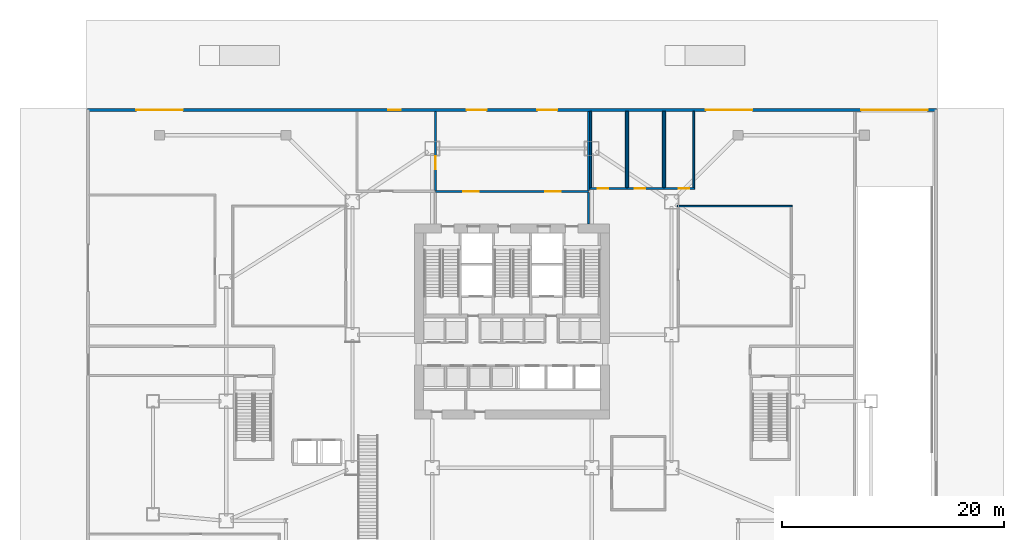
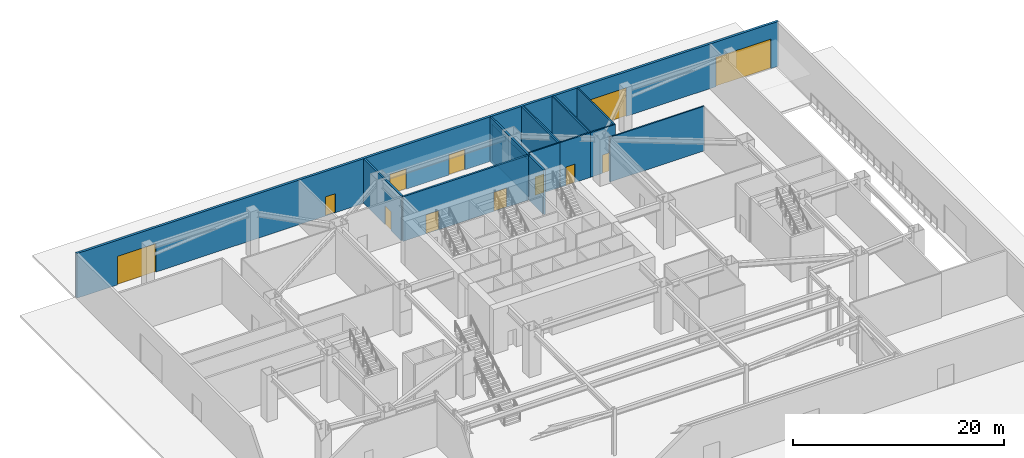
# One storey, part 12 of 20: 15 walls, 12 doors, 12 openings.
"""IFC4 building model written with IfcOpenShell, lengths in metres."""

from ifc_helpers import new_model, si_unit, direction, frame, frame_2d, origin, place, context, subcontext, project, spatial, rectangle, extrude, material, layer, layer_set, type_object, element, fill, save


model = new_model("IFC4")

# Units and contexts
model_context = context("Model", 3, precision=1e-05, world=origin(), true_north=direction((0.0, 1.0)))
body_context = subcontext(model_context, "Body", "Model", "MODEL_VIEW")
ifc_project = project(units=[si_unit("LENGTHUNIT", "METRE"), si_unit("AREAUNIT", "SQUARE_METRE"), si_unit("VOLUMEUNIT", "CUBIC_METRE"), si_unit("PLANEANGLEUNIT", "RADIAN"), si_unit("MASSUNIT", "GRAM", prefix="KILO")], contexts=[model_context])

# Site, building, storey
site_placement = place(None, origin())
site = spatial("IfcSite", under=ifc_project, at=site_placement, CompositionType="ELEMENT")
building_placement = place(site_placement, origin())
building = spatial("IfcBuilding", under=site, at=building_placement, Name="Haolan Belvedere Tower", CompositionType="ELEMENT")
storey_placement = place(building_placement, origin())
storey = spatial("IfcBuildingStorey", under=building, at=storey_placement, Name="L00", CompositionType="ELEMENT", Elevation=0.0)

# Wall, openings, doors
ifc_material_1 = material(Name="Precast concrete C40/50", Category="concrete")
ifc_layer_1 = layer(ifc_material_1, 0.260009765625, Name="Precast concrete C40/50")
ifc_layer_set_1 = layer_set([ifc_layer_1], Name="Precast concrete C40/50")
wall_type_1 = type_object("IfcWallType", Name="WL-EXT-260", PredefinedType="SOLIDWALL", material=ifc_layer_set_1)
wall_1_placement = place(storey_placement, frame((76.72509765625, 53.8701171875, 0.0), z_axis=(0.0, 0.0, 1.0), x_axis=(-1.0, 0.0, 0.0)))
wall_1 = element("IfcWall", 1, at=wall_1_placement, inside=storey, type_object=wall_type_1, Name="L00 pale-metal exterior spandrel wall 3.1", PredefinedType="SOLIDWALL", context=body_context, shape_type="SweptSolid", body=[
    extrude(rectangle(XDim=76.650146484375, YDim=0.260009765625, at=frame_2d((38.3251953125, 0.0))), origin(), (0.0, 0.0, 1.0), 5.159912109375),
])
opening_1_placement = place(wall_1_placement, frame((42.425048828125, 0.0, 0.0), z_axis=(0.0, 0.0, 1.0), x_axis=(-1.0, 0.0, 0.0)))
opening_1 = element("IfcOpeningElement", 2, at=opening_1_placement, cuts=wall_1, Name="Opening ED-01", PredefinedType="OPENING", context=body_context, shape_type="SweptSolid", body=[
    extrude(rectangle(XDim=1.800048828125, YDim=2.35009765625, at=frame_2d((0.89990234375, 1.175048828125))), frame((0.0, 0.139892578125, 0.0), z_axis=(0.0, -1.0, 0.0), x_axis=(1.0, 0.0, 0.0)), (0.0, 0.0, 1.0), 0.280029296875),
])
opening_2_placement = place(wall_1_placement, frame((36.025146484375, 0.0, 0.0), z_axis=(0.0, 0.0, 1.0), x_axis=(-1.0, 0.0, 0.0)))
opening_2 = element("IfcOpeningElement", 3, at=opening_2_placement, cuts=wall_1, Name="Opening ED-01", PredefinedType="OPENING", context=body_context, shape_type="SweptSolid", body=[
    extrude(rectangle(XDim=1.800048828125, YDim=2.35009765625, at=frame_2d((0.89990234375, 1.175048828125))), frame((0.0, 0.139892578125, 0.0), z_axis=(0.0, -1.0, 0.0), x_axis=(1.0, 0.0, 0.0)), (0.0, 0.0, 1.0), 0.280029296875),
])
opening_3_placement = place(wall_1_placement, frame((49.47509765625, 0.0, 0.0), z_axis=(0.0, 0.0, 1.0), x_axis=(-1.0, 0.0, 0.0)))
opening_3 = element("IfcOpeningElement", 4, at=opening_3_placement, cuts=wall_1, Name="Opening ED-02", PredefinedType="OPENING", context=body_context, shape_type="SweptSolid", body=[
    extrude(rectangle(XDim=1.10009765625, YDim=2.199951171875, at=frame_2d((0.550048828125, 1.10009765625))), frame((0.0, 0.139892578125, 0.0), z_axis=(0.0, -1.0, 0.0), x_axis=(1.0, 0.0, 0.0)), (0.0, 0.0, 1.0), 0.280029296875),
])
opening_4_placement = place(wall_1_placement, frame((6.824951171875, 0.0, 0.0), z_axis=(0.0, 0.0, 1.0), x_axis=(-1.0, 0.0, 0.0)))
opening_4 = element("IfcOpeningElement", 5, at=opening_4_placement, cuts=wall_1, Name="Opening VG-01", PredefinedType="OPENING", context=body_context, shape_type="SweptSolid", body=[
    extrude(rectangle(XDim=6.0, YDim=3.39990234375, at=frame_2d((3.0, 1.699951171875))), frame((0.0, 0.139892578125, 0.0), z_axis=(0.0, -1.0, 0.0), x_axis=(1.0, 0.0, 0.0)), (0.0, 0.0, 1.0), 0.280029296875),
])
opening_5_placement = place(wall_1_placement, frame((72.224853515625, 0.0, 0.0), z_axis=(0.0, 0.0, 1.0), x_axis=(-1.0, 0.0, 0.0)))
opening_5 = element("IfcOpeningElement", 6, at=opening_5_placement, cuts=wall_1, Name="Opening VG-02", PredefinedType="OPENING", context=body_context, shape_type="SweptSolid", body=[
    extrude(rectangle(XDim=4.199951171875, YDim=3.300048828125, at=frame_2d((2.10009765625, 1.64990234375))), frame((0.0, 0.139892578125, 0.0), z_axis=(0.0, -1.0, 0.0), x_axis=(1.0, 0.0, 0.0)), (0.0, 0.0, 1.0), 0.280029296875),
])
opening_6_placement = place(wall_1_placement, frame((20.824951171875, 0.0, 0.0), z_axis=(0.0, 0.0, 1.0), x_axis=(-1.0, 0.0, 0.0)))
opening_6 = element("IfcOpeningElement", 7, at=opening_6_placement, cuts=wall_1, Name="Opening VG-02", PredefinedType="OPENING", context=body_context, shape_type="SweptSolid", body=[
    extrude(rectangle(XDim=4.199951171875, YDim=3.300048828125, at=frame_2d((2.10009765625, 1.64990234375))), frame((0.0, 0.139892578125, 0.0), z_axis=(0.0, -1.0, 0.0), x_axis=(1.0, 0.0, 0.0)), (0.0, 0.0, 1.0), 0.280029296875),
])
ifc_material_2 = material(Name="Anodised aluminium and tempered glass", Category="aluminium")
door_type_1 = type_object("IfcDoorType", Name="DR-EXT-EXIT-1800", OperationType="DOUBLE_DOOR_SINGLE_SWING", PredefinedType="DOOR", material=ifc_material_2)
door_1_placement = place(opening_1_placement, origin())
door_1 = element("IfcDoor", 8, at=door_1_placement, inside=storey, type_object=door_type_1, Name="L00 north core exit discharge door 1", OperationType="DOUBLE_DOOR_SINGLE_SWING", OverallHeight=2.35009765625, OverallWidth=1.800048828125, PredefinedType="DOOR", context=body_context, shape_type="SweptSolid", body=[
    extrude(rectangle(XDim=1.800048828125, YDim=2.35009765625, at=frame_2d((0.89990234375, 1.175048828125))), frame((0.0, 0.02490234375, 0.0), z_axis=(0.0, -1.0, 0.0), x_axis=(1.0, 0.0, 0.0)), (0.0, 0.0, 1.0), 0.050048828125),
])
fill(opening_1, door_1)
door_2_placement = place(opening_2_placement, origin())
door_2 = element("IfcDoor", 9, at=door_2_placement, inside=storey, type_object=door_type_1, Name="L00 north core exit discharge door 2", OperationType="DOUBLE_DOOR_SINGLE_SWING", OverallHeight=2.35009765625, OverallWidth=1.800048828125, PredefinedType="DOOR", context=body_context, shape_type="SweptSolid", body=[
    extrude(rectangle(XDim=1.800048828125, YDim=2.35009765625, at=frame_2d((0.89990234375, 1.175048828125))), frame((0.0, 0.02490234375, 0.0), z_axis=(0.0, -1.0, 0.0), x_axis=(1.0, 0.0, 0.0)), (0.0, 0.0, 1.0), 0.050048828125),
])
fill(opening_2, door_2)
ifc_material_3 = material(Name="Galvanised painted fire steel", Category="steel")
door_type_2 = type_object("IfcDoorType", Name="DR-EXT-FCR-1100", OperationType="SINGLE_SWING_LEFT", PredefinedType="DOOR", material=ifc_material_3)
door_3_placement = place(opening_3_placement, origin())
door_3 = element("IfcDoor", 10, at=door_3_placement, inside=storey, type_object=door_type_2, Name="L00 fire command room direct exterior exit door", OperationType="SINGLE_SWING_LEFT", OverallHeight=2.199951171875, OverallWidth=1.10009765625, PredefinedType="DOOR", context=body_context, shape_type="SweptSolid", body=[
    extrude(rectangle(XDim=1.10009765625, YDim=2.199951171875, at=frame_2d((0.550048828125, 1.10009765625))), frame((0.0, 0.02490234375, 0.0), z_axis=(0.0, -1.0, 0.0), x_axis=(1.0, 0.0, 0.0)), (0.0, 0.0, 1.0), 0.050048828125),
])
fill(opening_3, door_3)
ifc_material_4 = material(Name="Insulated aluminium service bay shutter gate", Category="aluminium")
door_type_3 = type_object("IfcDoorType", Name="DR-GATE-4200", OperationType="SLIDING_TO_RIGHT", PredefinedType="GATE", material=ifc_material_4)
door_4_placement = place(opening_5_placement, origin())
door_4 = element("IfcDoor", 11, at=door_4_placement, inside=storey, type_object=door_type_3, Name="L00 north service yard vehicle gate VG-03", OperationType="SLIDING_TO_LEFT", OverallHeight=3.300048828125, OverallWidth=4.199951171875, PredefinedType="GATE", context=body_context, shape_type="SweptSolid", body=[
    extrude(rectangle(XDim=4.199951171875, YDim=3.300048828125, at=frame_2d((2.10009765625, 1.64990234375))), frame((0.0, 0.02490234375, 0.0), z_axis=(0.0, -1.0, 0.0), x_axis=(1.0, 0.0, 0.0)), (0.0, 0.0, 1.0), 0.050048828125),
])
fill(opening_5, door_4)
door_5_placement = place(opening_6_placement, origin())
door_5 = element("IfcDoor", 12, at=door_5_placement, inside=storey, type_object=door_type_3, Name="L00 north refuse bay shutter gate VG-05", OperationType="SLIDING_TO_RIGHT", OverallHeight=3.300048828125, OverallWidth=4.199951171875, PredefinedType="GATE", context=body_context, shape_type="SweptSolid", body=[
    extrude(rectangle(XDim=4.199951171875, YDim=3.300048828125, at=frame_2d((2.10009765625, 1.64990234375))), frame((0.0, 0.02490234375, 0.0), z_axis=(0.0, -1.0, 0.0), x_axis=(1.0, 0.0, 0.0)), (0.0, 0.0, 1.0), 0.050048828125),
])
fill(opening_6, door_5)
ifc_material_5 = material(Name="Anodised aluminium security vehicle gate", Category="aluminium")
door_type_4 = type_object("IfcDoorType", Name="DR-GATE-6000", OperationType="SLIDING_TO_LEFT", PredefinedType="GATE", material=ifc_material_5)
door_6_placement = place(opening_4_placement, origin())
door_6 = element("IfcDoor", 13, at=door_6_placement, inside=storey, type_object=door_type_4, Name="L00 car park ramp exit vehicle gate VG-01", OperationType="SLIDING_TO_LEFT", OverallHeight=3.39990234375, OverallWidth=6.0, PredefinedType="GATE", context=body_context, shape_type="SweptSolid", body=[
    extrude(rectangle(XDim=6.0, YDim=3.39990234375, at=frame_2d((3.0, 1.699951171875))), frame((0.0, 0.02490234375, 0.0), z_axis=(0.0, -1.0, 0.0), x_axis=(1.0, 0.0, 0.0)), (0.0, 0.0, 1.0), 0.050048828125),
])
fill(opening_4, door_6)

ifc_material_6 = material(Name="Concrete C40/50", Category="concrete")
ifc_layer_2 = layer(ifc_material_6, 0.199951171875, Name="Concrete C40/50")
ifc_layer_set_2 = layer_set([ifc_layer_2], Name="Concrete C40/50")
wall_type_2 = type_object("IfcWallType", Name="WL-FIRE-200", PredefinedType="SOLIDWALL", material=ifc_layer_set_2)
wall_2_placement = place(storey_placement, frame((31.5, 46.52001953125, 0.0), z_axis=(0.0, 0.0, 1.0), x_axis=(1.0, 0.0, 0.0)))
wall_2 = element("IfcWall", 14, at=wall_2_placement, inside=storey, type_object=wall_type_2, Name="L00 interior partition IW-L00-FFL-N", PredefinedType="SOLIDWALL", context=body_context, shape_type="SweptSolid", body=[
    extrude(rectangle(XDim=13.800048828125, YDim=0.199951171875, at=frame_2d((6.89990234375, 0.0))), origin(), (0.0, 0.0, 1.0), 5.159912109375),
])
opening_7_placement = place(wall_2_placement, frame((2.5, 0.0, 0.0)))
opening_7 = element("IfcOpeningElement", 15, at=opening_7_placement, cuts=wall_2, Name="Opening FD-01", PredefinedType="OPENING", context=body_context, shape_type="SweptSolid", body=[
    extrude(rectangle(XDim=1.39990234375, YDim=2.199951171875, at=frame_2d((0.699951171875, 1.10009765625))), frame((0.0, 0.10986328125, 0.0), z_axis=(0.0, -1.0, 0.0), x_axis=(1.0, 0.0, 0.0)), (0.0, 0.0, 1.0), 0.219970703125),
])
opening_8_placement = place(wall_2_placement, frame((9.89990234375, 0.0, 0.0)))
opening_8 = element("IfcOpeningElement", 16, at=opening_8_placement, cuts=wall_2, Name="Opening FD-01", PredefinedType="OPENING", context=body_context, shape_type="SweptSolid", body=[
    extrude(rectangle(XDim=1.39990234375, YDim=2.199951171875, at=frame_2d((0.699951171875, 1.10009765625))), frame((0.0, 0.10986328125, 0.0), z_axis=(0.0, -1.0, 0.0), x_axis=(1.0, 0.0, 0.0)), (0.0, 0.0, 1.0), 0.219970703125),
])
ifc_material_7 = material(Name="Galvanised fire-rated steel", Category="steel")
door_type_5 = type_object("IfcDoorType", Name="DR-FD90-1400", OperationType="DOUBLE_DOOR_SINGLE_SWING", PredefinedType="DOOR", material=ifc_material_7)
door_7_placement = place(opening_7_placement, origin())
door_7 = element("IfcDoor", 17, at=door_7_placement, inside=storey, type_object=door_type_5, Name="L00 door ID-L00-FFL-DN1", OperationType="DOUBLE_DOOR_SINGLE_SWING", OverallHeight=2.199951171875, OverallWidth=1.39990234375, PredefinedType="DOOR", context=body_context, shape_type="SweptSolid", body=[
    extrude(rectangle(XDim=1.39990234375, YDim=2.199951171875, at=frame_2d((0.699951171875, 1.10009765625))), frame((0.0, 0.02490234375, 0.0), z_axis=(0.0, -1.0, 0.0), x_axis=(1.0, 0.0, 0.0)), (0.0, 0.0, 1.0), 0.050048828125),
])
fill(opening_7, door_7)
door_8_placement = place(opening_8_placement, origin())
door_8 = element("IfcDoor", 18, at=door_8_placement, inside=storey, type_object=door_type_5, Name="L00 door ID-L00-FFL-DN2", OperationType="DOUBLE_DOOR_SINGLE_SWING", OverallHeight=2.199951171875, OverallWidth=1.39990234375, PredefinedType="DOOR", context=body_context, shape_type="SweptSolid", body=[
    extrude(rectangle(XDim=1.39990234375, YDim=2.199951171875, at=frame_2d((0.699951171875, 1.10009765625))), frame((0.0, 0.02490234375, 0.0), z_axis=(0.0, -1.0, 0.0), x_axis=(1.0, 0.0, 0.0)), (0.0, 0.0, 1.0), 0.050048828125),
])
fill(opening_8, door_8)

# Wall
wall_3_placement = place(storey_placement, frame((45.300048828125, 43.60009765625, 0.0), z_axis=(0.0, 0.0, 1.0), x_axis=(0.0, 1.0, 0.0)))
element("IfcWall", 19, at=wall_3_placement, inside=storey, type_object=wall_type_2, Name="L00 interior partition IW-L00-FFL-E", PredefinedType="SOLIDWALL", context=body_context, shape_type="SweptSolid", body=[
    extrude(rectangle(XDim=2.8349609375, YDim=0.199951171875, at=frame_2d((1.41748046875, 0.0))), origin(), (0.0, 0.0, 1.0), 5.159912109375),
])

# Wall, opening, door
wall_4_placement = place(storey_placement, frame((31.5, 46.60498046875, 0.0), z_axis=(0.0, 0.0, 1.0), x_axis=(0.0, 1.0, 0.0)))
wall_4 = element("IfcWall", 20, at=wall_4_placement, inside=storey, type_object=wall_type_2, Name="L00 interior partition IW-L00-EXP-N-W", PredefinedType="SOLIDWALL", context=body_context, shape_type="SweptSolid", body=[
    extrude(rectangle(XDim=7.14990234375, YDim=0.199951171875, at=frame_2d((3.574951171875, 0.0))), origin(), (0.0, 0.0, 1.0), 5.159912109375),
])
opening_9_placement = place(wall_4_placement, frame((1.91943359375, 0.0, 0.0)))
opening_9 = element("IfcOpeningElement", 21, at=opening_9_placement, cuts=wall_4, Name="Opening FD-02", PredefinedType="OPENING", context=body_context, shape_type="SweptSolid", body=[
    extrude(rectangle(XDim=1.199951171875, YDim=2.14990234375, at=frame_2d((0.60009765625, 1.074951171875))), frame((0.0, 0.10986328125, 0.0), z_axis=(0.0, -1.0, 0.0), x_axis=(1.0, 0.0, 0.0)), (0.0, 0.0, 1.0), 0.219970703125),
])
door_type_6 = type_object("IfcDoorType", Name="DR-FD90-1200", OperationType="NOTDEFINED", PredefinedType="DOOR", material=ifc_material_7)
door_9_placement = place(opening_9_placement, origin())
door_9 = element("IfcDoor", 22, at=door_9_placement, inside=storey, type_object=door_type_6, Name="L00 door ID-L00-EXP-N", OperationType="SINGLE_SWING_LEFT", OverallHeight=2.14990234375, OverallWidth=1.199951171875, PredefinedType="DOOR", context=body_context, shape_type="SweptSolid", body=[
    extrude(rectangle(XDim=1.199951171875, YDim=2.14990234375, at=frame_2d((0.60009765625, 1.074951171875))), frame((0.0, 0.02490234375, 0.0), z_axis=(0.0, -1.0, 0.0), x_axis=(1.0, 0.0, 0.0)), (0.0, 0.0, 1.0), 0.050048828125),
])
fill(opening_9, door_9)

# Wall
wall_5_placement = place(storey_placement, frame((45.300048828125, 46.60498046875, 0.0), z_axis=(0.0, 0.0, 1.0), x_axis=(0.0, 1.0, 0.0)))
element("IfcWall", 23, at=wall_5_placement, inside=storey, type_object=wall_type_2, Name="L00 interior partition IW-L00-EXP-N-E", PredefinedType="SOLIDWALL", context=body_context, shape_type="SweptSolid", body=[
    extrude(rectangle(XDim=7.14990234375, YDim=0.199951171875, at=frame_2d((3.574951171875, 0.0))), origin(), (0.0, 0.0, 1.0), 5.159912109375),
])

# Wall, opening, door
ifc_material_8 = material(Name="Double gypsum acoustic stud partition", Category="masonry")
ifc_layer_3 = layer(ifc_material_8, 0.14990234375, Name="Double gypsum acoustic stud partition")
ifc_layer_set_3 = layer_set([ifc_layer_3], Name="Double gypsum acoustic stud partition")
wall_type_3 = type_object("IfcWallType", Name="WL-PART-150", PredefinedType="PARTITIONING", material=ifc_layer_set_3)
wall_6_placement = place(storey_placement, frame((45.419921875, 46.800048828125, 0.0), z_axis=(0.0, 0.0, 1.0), x_axis=(1.0, 0.0, 0.0)))
wall_6 = element("IfcWall", 24, at=wall_6_placement, inside=storey, type_object=wall_type_3, Name="L00 interior partition IW-L00-WCM-S", PredefinedType="PARTITIONING", context=body_context, shape_type="SweptSolid", body=[
    extrude(rectangle(XDim=3.360107421875, YDim=0.14990234375, at=frame_2d((1.68017578125, 0.0))), origin(), (0.0, 0.0, 1.0), 5.159912109375),
])
opening_10_placement = place(wall_6_placement, frame((0.699951171875, 0.0, 0.0)))
opening_10 = element("IfcOpeningElement", 25, at=opening_10_placement, cuts=wall_6, Name="Opening ID-03", PredefinedType="OPENING", context=body_context, shape_type="SweptSolid", body=[
    extrude(rectangle(XDim=0.949951171875, YDim=2.1201171875, at=frame_2d((0.47509765625, 1.06005859375))), frame((0.0, 0.0849609375, 0.0), z_axis=(0.0, -1.0, 0.0), x_axis=(1.0, 0.0, 0.0)), (0.0, 0.0, 1.0), 0.169921875),
])
ifc_material_9 = material(Name="Painted solid-core timber", Category="wood")
door_type_7 = type_object("IfcDoorType", Name="DR-INT-950", OperationType="NOTDEFINED", PredefinedType="DOOR", material=ifc_material_9)
door_10_placement = place(opening_10_placement, origin())
door_10 = element("IfcDoor", 26, at=door_10_placement, inside=storey, type_object=door_type_7, Name="L00 door ID-L00-WCM", OperationType="SINGLE_SWING_LEFT", OverallHeight=2.1201171875, OverallWidth=0.949951171875, PredefinedType="DOOR", context=body_context, shape_type="SweptSolid", body=[
    extrude(rectangle(XDim=0.949951171875, YDim=2.1201171875, at=frame_2d((0.47509765625, 1.06005859375))), frame((0.0, 0.02490234375, 0.0), z_axis=(0.0, -1.0, 0.0), x_axis=(1.0, 0.0, 0.0)), (0.0, 0.0, 1.0), 0.050048828125),
])
fill(opening_10, door_10)

# Walls
wall_7_placement = place(storey_placement, frame((45.5, 46.860107421875, 0.0), z_axis=(0.0, 0.0, 1.0), x_axis=(0.0, 1.0, 0.0)))
element("IfcWall", 27, at=wall_7_placement, inside=storey, type_object=wall_type_3, Name="L00 interior partition IW-L00-WCM-W", PredefinedType="PARTITIONING", context=body_context, shape_type="SweptSolid", body=[
    extrude(rectangle(XDim=6.894775390625, YDim=0.14990234375, at=frame_2d((3.447265625, 0.0))), origin(), (0.0, 0.0, 1.0), 4.2451171875),
])
wall_8_placement = place(storey_placement, frame((48.699951171875, 46.860107421875, 0.0), z_axis=(0.0, 0.0, 1.0), x_axis=(0.0, 1.0, 0.0)))
element("IfcWall", 28, at=wall_8_placement, inside=storey, type_object=wall_type_3, Name="L00 interior partition IW-L00-WCM-E", PredefinedType="PARTITIONING", context=body_context, shape_type="SweptSolid", body=[
    extrude(rectangle(XDim=6.894775390625, YDim=0.14990234375, at=frame_2d((3.447265625, 0.0))), origin(), (0.0, 0.0, 1.0), 5.159912109375),
])

# Wall, opening, door
wall_9_placement = place(storey_placement, frame((48.781982421875, 46.800048828125, 0.0), z_axis=(0.0, 0.0, 1.0), x_axis=(1.0, 0.0, 0.0)))
wall_9 = element("IfcWall", 29, at=wall_9_placement, inside=storey, type_object=wall_type_3, Name="L00 interior partition IW-L00-WCF-S", PredefinedType="PARTITIONING", context=body_context, shape_type="SweptSolid", body=[
    extrude(rectangle(XDim=3.347900390625, YDim=0.14990234375, at=frame_2d((1.673828125, 0.0))), origin(), (0.0, 0.0, 1.0), 5.159912109375),
])
opening_11_placement = place(wall_9_placement, frame((0.68798828125, 0.0, 0.0)))
opening_11 = element("IfcOpeningElement", 30, at=opening_11_placement, cuts=wall_9, Name="Opening ID-03", PredefinedType="OPENING", context=body_context, shape_type="SweptSolid", body=[
    extrude(rectangle(XDim=0.949951171875, YDim=2.1201171875, at=frame_2d((0.47509765625, 1.06005859375))), frame((0.0, 0.0849609375, 0.0), z_axis=(0.0, -1.0, 0.0), x_axis=(1.0, 0.0, 0.0)), (0.0, 0.0, 1.0), 0.169921875),
])
door_11_placement = place(opening_11_placement, origin())
door_11 = element("IfcDoor", 31, at=door_11_placement, inside=storey, type_object=door_type_7, Name="L00 door ID-L00-WCF", OperationType="SINGLE_SWING_RIGHT", OverallHeight=2.1201171875, OverallWidth=0.949951171875, PredefinedType="DOOR", context=body_context, shape_type="SweptSolid", body=[
    extrude(rectangle(XDim=0.949951171875, YDim=2.1201171875, at=frame_2d((0.47509765625, 1.06005859375))), frame((0.0, 0.02490234375, 0.0), z_axis=(0.0, -1.0, 0.0), x_axis=(1.0, 0.0, 0.0)), (0.0, 0.0, 1.0), 0.050048828125),
])
fill(opening_11, door_11)

# Walls
for number, where, z_axis, x_axis, name in (
    (32, (48.85009765625, 46.860107421875, 0.0), (0.0, 0.0, 1.0), (0.0, 1.0, 0.0), "L00 interior partition IW-L00-WCF-W"),
    (33, (52.050048828125, 46.860107421875, 0.0), (0.0, 0.0, 1.0), (0.0, 1.0, 0.0), "L00 interior partition IW-L00-WCF-E"),
):
    element("IfcWall", number, at=place(storey_placement, frame(where, z_axis=z_axis, x_axis=x_axis)), inside=storey, type_object=wall_type_3, Name=name, PredefinedType="PARTITIONING", context=body_context, shape_type="SweptSolid", body=[
        extrude(rectangle(XDim=6.894775390625, YDim=0.14990234375, at=frame_2d((3.447265625, 0.0))), origin(), (0.0, 0.0, 1.0), 5.159912109375),
    ])

# Wall, opening, door
wall_10_placement = place(storey_placement, frame((52.132080078125, 46.800048828125, 0.0), z_axis=(0.0, 0.0, 1.0), x_axis=(1.0, 0.0, 0.0)))
wall_10 = element("IfcWall", 34, at=wall_10_placement, inside=storey, type_object=wall_type_3, Name="L00 interior partition IW-L00-WCA-S", PredefinedType="PARTITIONING", context=body_context, shape_type="SweptSolid", body=[
    extrude(rectangle(XDim=2.747802734375, YDim=0.14990234375, at=frame_2d((1.3740234375, 0.0))), origin(), (0.0, 0.0, 1.0), 5.159912109375),
])
opening_12_placement = place(wall_10_placement, frame((1.3212890625, 0.0, 0.0)))
opening_12 = element("IfcOpeningElement", 35, at=opening_12_placement, cuts=wall_10, Name="Opening ID-03", PredefinedType="OPENING", context=body_context, shape_type="SweptSolid", body=[
    extrude(rectangle(XDim=0.949951171875, YDim=2.1201171875, at=frame_2d((0.47509765625, 1.06005859375))), frame((0.0, 0.0849609375, 0.0), z_axis=(0.0, -1.0, 0.0), x_axis=(1.0, 0.0, 0.0)), (0.0, 0.0, 1.0), 0.169921875),
])
door_12_placement = place(opening_12_placement, origin())
door_12 = element("IfcDoor", 36, at=door_12_placement, inside=storey, type_object=door_type_7, Name="L00 door ID-L00-WCA", OperationType="SINGLE_SWING_LEFT", OverallHeight=2.1201171875, OverallWidth=0.949951171875, PredefinedType="DOOR", context=body_context, shape_type="SweptSolid", body=[
    extrude(rectangle(XDim=0.949951171875, YDim=2.1201171875, at=frame_2d((0.47509765625, 1.06005859375))), frame((0.0, 0.02490234375, 0.0), z_axis=(0.0, -1.0, 0.0), x_axis=(1.0, 0.0, 0.0)), (0.0, 0.0, 1.0), 0.050048828125),
])
fill(opening_12, door_12)

# Walls
for number, where, z_axis, x_axis, name in (
    (37, (52.199951171875, 46.860107421875, 0.0), (0.0, 0.0, 1.0), (0.0, 1.0, 0.0), "L00 interior partition IW-L00-WCA-W"),
    (38, (54.800048828125, 46.860107421875, 0.0), (0.0, 0.0, 1.0), (0.0, 1.0, 0.0), "L00 interior partition IW-L00-WCA-E"),
):
    element("IfcWall", number, at=place(storey_placement, frame(where, z_axis=z_axis, x_axis=x_axis)), inside=storey, type_object=wall_type_3, Name=name, PredefinedType="PARTITIONING", context=body_context, shape_type="SweptSolid", body=[
        extrude(rectangle(XDim=6.894775390625, YDim=0.14990234375, at=frame_2d((3.447265625, 0.0))), origin(), (0.0, 0.0, 1.0), 5.159912109375),
    ])
wall_11_placement = place(storey_placement, frame((53.320068359375, 45.199951171875, 0.0), z_axis=(0.0, 0.0, 1.0), x_axis=(1.0, 0.0, 0.0)))
element("IfcWall", 39, at=wall_11_placement, inside=storey, type_object=wall_type_3, Name="L00 interior partition IW-L00-CONC-N", PredefinedType="PARTITIONING", context=body_context, shape_type="SweptSolid", body=[
    extrude(rectangle(XDim=10.35986328125, YDim=0.14990234375, at=frame_2d((5.179931640625, 0.0))), origin(), (0.0, 0.0, 1.0), 5.159912109375),
])

save(model, "model.ifc")
